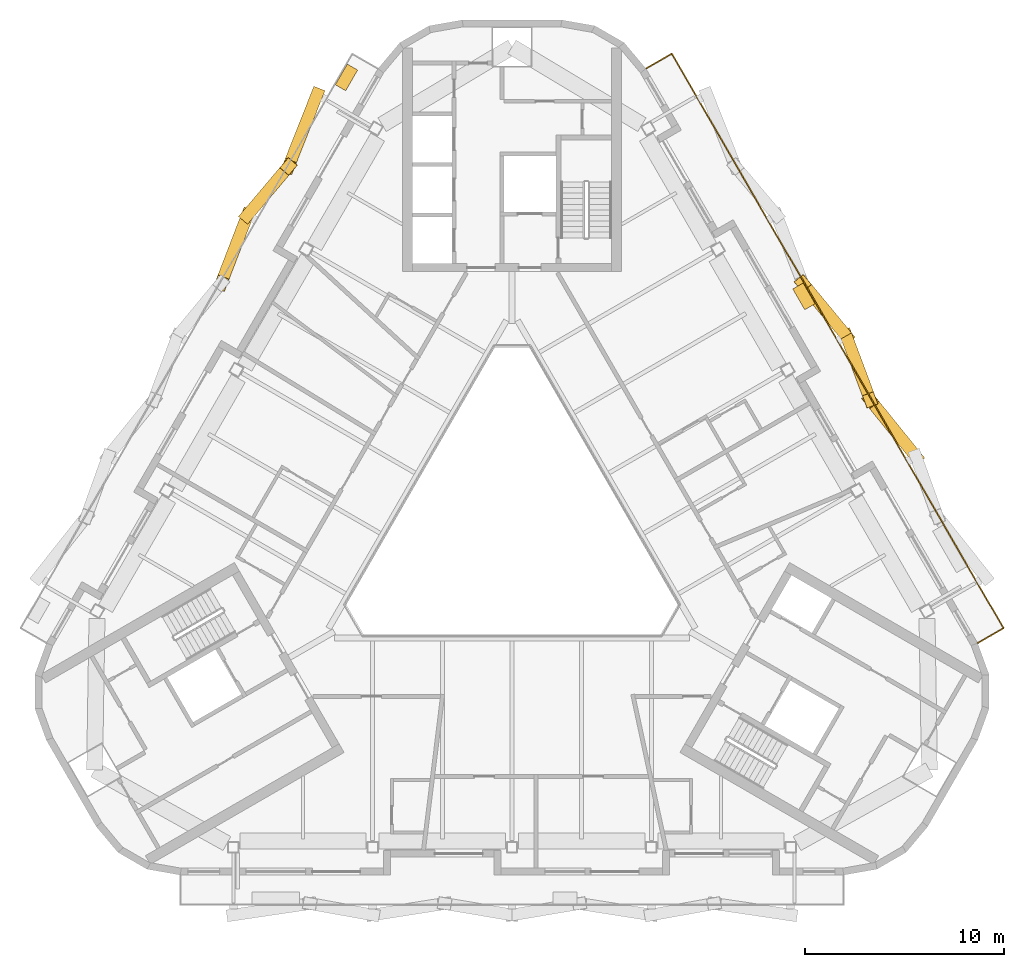
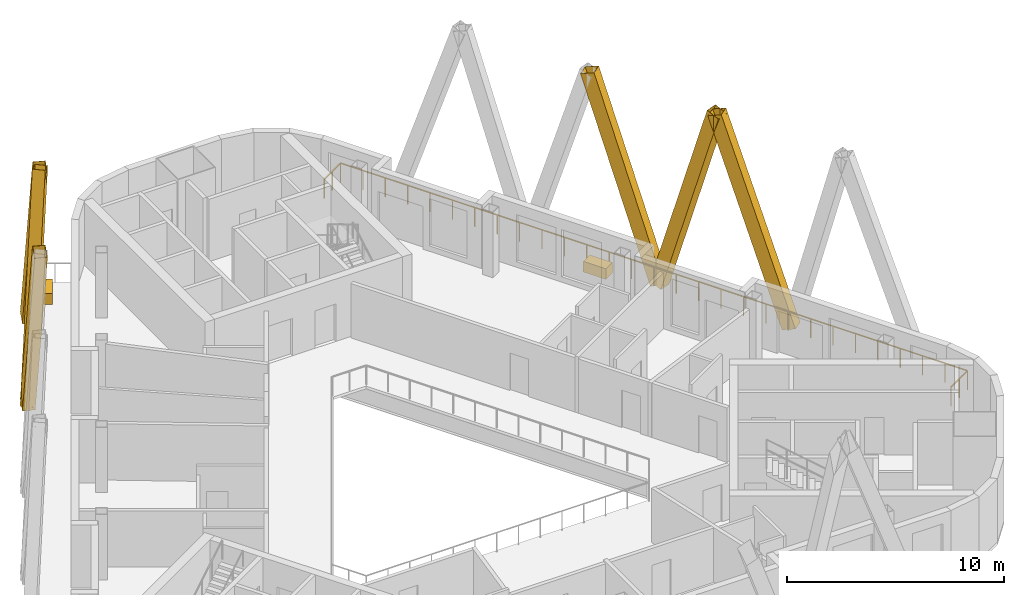
# One storey, part 11 of 12: 6 shading devices, 2 coverings, 1 railing.
"""IFC4 building model written with IfcOpenShell, lengths in metres."""

from ifc_helpers import new_model, si_unit, direction, frame, origin, origin_2d, place, context, subcontext, project, spatial, rectangle, hollow_rectangle, extrude, material, material_profile, profile_set, type_object, element, save


model = new_model("IFC4")

# Units and contexts
model_context = context("Model", 3, precision=1e-05, world=origin(), true_north=direction((0.0, 1.0)))
body_context = subcontext(model_context, "Body", "Model", "MODEL_VIEW")
ifc_project = project(units=[si_unit("LENGTHUNIT", "METRE"), si_unit("AREAUNIT", "SQUARE_METRE"), si_unit("VOLUMEUNIT", "CUBIC_METRE"), si_unit("PLANEANGLEUNIT", "RADIAN"), si_unit("MASSUNIT", "GRAM", prefix="KILO")], contexts=[model_context])

# Site, building, storey
site_placement = place(None, origin())
site = spatial("IfcSite", under=ifc_project, at=site_placement, CompositionType="ELEMENT")
building_placement = place(site_placement, origin())
building = spatial("IfcBuilding", under=site, at=building_placement, Name="Apuvela Tower Hotel", CompositionType="ELEMENT")
storey_placement = place(building_placement, frame((0.0, 0.0, 291.10009765625)))
storey = spatial("IfcBuildingStorey", under=building, at=storey_placement, Name="L72", CompositionType="ELEMENT", Elevation=291.10009765625)

# Shading devices
ifc_material_1 = material(Name="Aluminium 6063-T6, black anodised", Category="aluminium")
ifc_material_profile = material_profile(ifc_material_1, hollow_rectangle(XDim=0.60009765625, YDim=0.699951171875, WallThickness=0.011962890625, at=origin_2d()), Name="AL BOX 700x600x12")
ifc_profile_set = profile_set([ifc_material_profile], Name="Aluminium 6063-T6, black anodised")
shading_device_type = type_object("IfcShadingDeviceType", Name="ENV-FIN-700x600", PredefinedType="USERDEFINED", material=ifc_profile_set)
shading_device_1_placement = place(storey_placement, frame((20.26123046875, 3.6298828125, -0.10009765625), z_axis=(-0.196391864595, 0.243108057067, 0.949909842095), x_axis=(-0.777885876447, -0.628405572242, 0.0)))
element("IfcShadingDevice", 1, at=shading_device_1_placement, inside=storey, type_object=shading_device_type, Name="Lattice fin NE659", ObjectType="FIN", PredefinedType="USERDEFINED", context=body_context, shape_type="SweptSolid", body=[
    extrude(hollow_rectangle(XDim=0.60009765625, YDim=0.699951171875, WallThickness=0.011962890625, at=origin_2d()), origin(), (0.0, 0.0, 1.0), 11.685302734375),
])
for number, where, z_axis, x_axis, name in (
    (2, (16.767578125, 9.680908203125, -0.10009765625), (0.1031876675, -0.27633699388, 0.955505191555), (0.936817233822, 0.34981919675, 0.0), "Lattice fin NE660"),
    (3, (16.767578125, 9.680908203125, -0.10009765625), (-0.187714175558, 0.227518323398, 0.955509707336), (-0.771354041444, -0.63640627177, 0.0), "Lattice fin NE661"),
):
    element("IfcShadingDevice", number, at=place(storey_placement, frame(where, z_axis=z_axis, x_axis=x_axis)), inside=storey, type_object=shading_device_type, Name=name, ObjectType="FIN", PredefinedType="USERDEFINED", context=body_context, shape_type="SweptSolid", body=[
        extrude(hollow_rectangle(XDim=0.60009765625, YDim=0.699951171875, WallThickness=0.011962890625, at=origin_2d()), origin(), (0.0, 0.0, 1.0), 11.616943359375),
    ])
shading_device_2_placement = place(storey_placement, frame((-9.780517578125, 21.782958984375, -0.10009765625), z_axis=(-0.121364736973, -0.30666138586, 0.944049466417), x_axis=(0.929829503012, -0.367990618533, 0.0)))
element("IfcShadingDevice", 4, at=shading_device_2_placement, inside=storey, type_object=shading_device_type, Name="Lattice fin NW685", ObjectType="FIN", PredefinedType="USERDEFINED", context=body_context, shape_type="SweptSolid", body=[
    extrude(hollow_rectangle(XDim=0.60009765625, YDim=0.699951171875, WallThickness=0.011962890625, at=origin_2d()), origin(), (0.0, 0.0, 1.0), 11.758056640625),
])
shading_device_3_placement = place(storey_placement, frame((-13.274169921875, 15.731689453125, -0.10009765625), z_axis=(0.178889566905, 0.211687748575, 0.960826113278), x_axis=(-0.763796829654, 0.645456739844, 0.0)))
element("IfcShadingDevice", 5, at=shading_device_3_placement, inside=storey, type_object=shading_device_type, Name="Lattice fin NW686", ObjectType="FIN", PredefinedType="USERDEFINED", context=body_context, shape_type="SweptSolid", body=[
    extrude(hollow_rectangle(XDim=0.60009765625, YDim=0.699951171875, WallThickness=0.011962890625, at=origin_2d()), origin(), (0.0, 0.0, 1.0), 11.552734375),
])
shading_device_4_placement = place(storey_placement, frame((-13.274169921875, 15.731689453125, -0.10009765625), z_axis=(-0.112340781223, -0.291622210211, 0.949913698915), x_axis=(0.933154214909, -0.359476301301, 0.0)))
element("IfcShadingDevice", 6, at=shading_device_4_placement, inside=storey, type_object=shading_device_type, Name="Lattice fin NW687", ObjectType="FIN", PredefinedType="USERDEFINED", context=body_context, shape_type="SweptSolid", body=[
    extrude(hollow_rectangle(XDim=0.60009765625, YDim=0.699951171875, WallThickness=0.011962890625, at=origin_2d()), origin(), (0.0, 0.0, 1.0), 11.685302734375),
])

# Railing
ifc_material_2 = material(Name="Stainless steel 316 rail with laminated glass infill", Category="steel")
railing_type = type_object("IfcRailingType", Name="ENV-GUARD-1100", PredefinedType="GUARDRAIL", material=ifc_material_2)
railing_placement = place(storey_placement, frame((23.3564453125, -5.731201171875, 0.0)))
element("IfcRailing", 7, at=railing_placement, inside=storey, type_object=railing_type, Name="Balcony guard NE L72", PredefinedType="GUARDRAIL", context=body_context, shape_type="SweptSolid", body=[
    extrude(rectangle(XDim=0.050048828125, YDim=0.050048828125, at=origin_2d()), frame((0.0, 0.0, 1.0751953125), z_axis=(0.866031096941, 0.499990139034, 0.0), x_axis=(-0.499990139034, 0.866031096941, 0.0)), (0.0, 0.0, 1.0), 1.5),
    extrude(rectangle(XDim=0.050048828125, YDim=0.050048828125, at=origin_2d()), frame((1.299072265625, 0.75, 1.0751953125), z_axis=(-0.500001623856, 0.866024466248, 0.0), x_axis=(-0.866024466248, -0.500001623856, 0.0)), (0.0, 0.0, 1.0), 33.283203125),
    extrude(rectangle(XDim=0.050048828125, YDim=0.050048828125, at=origin_2d()), frame((-15.342529296875, 29.573974609375, 1.0751953125), z_axis=(-0.866031096941, -0.499990139034, 0.0), x_axis=(0.499990139034, -0.866031096941, 0.0)), (0.0, 0.0, 1.0), 1.5),
    extrude(rectangle(XDim=0.0400390625, YDim=0.0400390625, at=origin_2d()), origin(), (0.0, 0.0, 1.0), 1.050048828125),
    extrude(rectangle(XDim=0.0400390625, YDim=0.0400390625, at=origin_2d()), frame((0.6494140625, 0.375, 0.0)), (0.0, 0.0, 1.0), 1.050048828125),
    extrude(rectangle(XDim=0.0400390625, YDim=0.0400390625, at=origin_2d()), frame((1.299072265625, 0.75, 0.0)), (0.0, 0.0, 1.0), 1.050048828125),
    extrude(rectangle(XDim=0.0400390625, YDim=0.0400390625, at=origin_2d()), frame((0.704833984375, 1.779541015625, 0.0)), (0.0, 0.0, 1.0), 1.050048828125),
    extrude(rectangle(XDim=0.0400390625, YDim=0.0400390625, at=origin_2d()), frame((0.1103515625, 2.808837890625, 0.0)), (0.0, 0.0, 1.0), 1.050048828125),
    extrude(rectangle(XDim=0.0400390625, YDim=0.0400390625, at=origin_2d()), frame((-0.48388671875, 3.83837890625, 0.0)), (0.0, 0.0, 1.0), 1.050048828125),
    extrude(rectangle(XDim=0.0400390625, YDim=0.0400390625, at=origin_2d()), frame((-1.078369140625, 4.86767578125, 0.0)), (0.0, 0.0, 1.0), 1.050048828125),
    extrude(rectangle(XDim=0.0400390625, YDim=0.0400390625, at=origin_2d()), frame((-1.672607421875, 5.897216796875, 0.0)), (0.0, 0.0, 1.0), 1.050048828125),
    extrude(rectangle(XDim=0.0400390625, YDim=0.0400390625, at=origin_2d()), frame((-2.26708984375, 6.926513671875, 0.0)), (0.0, 0.0, 1.0), 1.050048828125),
    extrude(rectangle(XDim=0.0400390625, YDim=0.0400390625, at=origin_2d()), frame((-2.861328125, 7.9560546875, 0.0)), (0.0, 0.0, 1.0), 1.050048828125),
    extrude(rectangle(XDim=0.0400390625, YDim=0.0400390625, at=origin_2d()), frame((-3.45556640625, 8.9853515625, 0.0)), (0.0, 0.0, 1.0), 1.050048828125),
    extrude(rectangle(XDim=0.0400390625, YDim=0.0400390625, at=origin_2d()), frame((-4.050048828125, 10.014892578125, 0.0)), (0.0, 0.0, 1.0), 1.050048828125),
    extrude(rectangle(XDim=0.0400390625, YDim=0.0400390625, at=origin_2d()), frame((-4.644287109375, 11.044189453125, 0.0)), (0.0, 0.0, 1.0), 1.050048828125),
    extrude(rectangle(XDim=0.0400390625, YDim=0.0400390625, at=origin_2d()), frame((-5.23876953125, 12.07373046875, 0.0)), (0.0, 0.0, 1.0), 1.050048828125),
    extrude(rectangle(XDim=0.0400390625, YDim=0.0400390625, at=origin_2d()), frame((-5.8330078125, 13.10302734375, 0.0)), (0.0, 0.0, 1.0), 1.050048828125),
    extrude(rectangle(XDim=0.0400390625, YDim=0.0400390625, at=origin_2d()), frame((-6.427490234375, 14.132568359375, 0.0)), (0.0, 0.0, 1.0), 1.050048828125),
    extrude(rectangle(XDim=0.0400390625, YDim=0.0400390625, at=origin_2d()), frame((-7.021728515625, 15.162109375, 0.0)), (0.0, 0.0, 1.0), 1.050048828125),
    extrude(rectangle(XDim=0.0400390625, YDim=0.0400390625, at=origin_2d()), frame((-7.615966796875, 16.19140625, 0.0)), (0.0, 0.0, 1.0), 1.050048828125),
    extrude(rectangle(XDim=0.0400390625, YDim=0.0400390625, at=origin_2d()), frame((-8.21044921875, 17.220947265625, 0.0)), (0.0, 0.0, 1.0), 1.050048828125),
    extrude(rectangle(XDim=0.0400390625, YDim=0.0400390625, at=origin_2d()), frame((-8.8046875, 18.250244140625, 0.0)), (0.0, 0.0, 1.0), 1.050048828125),
    extrude(rectangle(XDim=0.0400390625, YDim=0.0400390625, at=origin_2d()), frame((-9.399169921875, 19.27978515625, 0.0)), (0.0, 0.0, 1.0), 1.050048828125),
    extrude(rectangle(XDim=0.0400390625, YDim=0.0400390625, at=origin_2d()), frame((-9.993408203125, 20.30908203125, 0.0)), (0.0, 0.0, 1.0), 1.050048828125),
    extrude(rectangle(XDim=0.0400390625, YDim=0.0400390625, at=origin_2d()), frame((-10.587890625, 21.338623046875, 0.0)), (0.0, 0.0, 1.0), 1.050048828125),
    extrude(rectangle(XDim=0.0400390625, YDim=0.0400390625, at=origin_2d()), frame((-11.18212890625, 22.367919921875, 0.0)), (0.0, 0.0, 1.0), 1.050048828125),
    extrude(rectangle(XDim=0.0400390625, YDim=0.0400390625, at=origin_2d()), frame((-11.7763671875, 23.3974609375, 0.0)), (0.0, 0.0, 1.0), 1.050048828125),
    extrude(rectangle(XDim=0.0400390625, YDim=0.0400390625, at=origin_2d()), frame((-12.370849609375, 24.4267578125, 0.0)), (0.0, 0.0, 1.0), 1.050048828125),
    extrude(rectangle(XDim=0.0400390625, YDim=0.0400390625, at=origin_2d()), frame((-12.965087890625, 25.456298828125, 0.0)), (0.0, 0.0, 1.0), 1.050048828125),
    extrude(rectangle(XDim=0.0400390625, YDim=0.0400390625, at=origin_2d()), frame((-13.5595703125, 26.485595703125, 0.0)), (0.0, 0.0, 1.0), 1.050048828125),
    extrude(rectangle(XDim=0.0400390625, YDim=0.0400390625, at=origin_2d()), frame((-14.15380859375, 27.51513671875, 0.0)), (0.0, 0.0, 1.0), 1.050048828125),
    extrude(rectangle(XDim=0.0400390625, YDim=0.0400390625, at=origin_2d()), frame((-14.748291015625, 28.54443359375, 0.0)), (0.0, 0.0, 1.0), 1.050048828125),
    extrude(rectangle(XDim=0.0400390625, YDim=0.0400390625, at=origin_2d()), frame((-15.342529296875, 29.573974609375, 0.0)), (0.0, 0.0, 1.0), 1.050048828125),
    extrude(rectangle(XDim=0.0400390625, YDim=0.0400390625, at=origin_2d()), frame((-15.9921875, 29.198974609375, 0.0)), (0.0, 0.0, 1.0), 1.050048828125),
    extrude(rectangle(XDim=0.0400390625, YDim=0.0400390625, at=origin_2d()), frame((-16.6416015625, 28.823974609375, 0.0)), (0.0, 0.0, 1.0), 1.050048828125),
])

# Coverings
ifc_material_3 = material(Name="Planting substrate and soil, planted")
covering_type = type_object("IfcCoveringType", Name="ENV-PLANTER-1200x600", PredefinedType="USERDEFINED", material=ifc_material_3)
for number, where, z_axis, x_axis, name in (
    (8, (14.64208984375, 11.66259765625, -0.000244140625), (0.0, 0.0, 1.0), (-0.5, 0.866025403784, 0.0), "Planter NE4"),
    (9, (-8.30078125, 22.645751953125, -0.000244140625), (0.0, 0.0, 1.0), (-0.5, -0.866025403784, 0.0), "Planter NW5"),
):
    element("IfcCovering", number, at=place(storey_placement, frame(where, z_axis=z_axis, x_axis=x_axis)), inside=storey, type_object=covering_type, Name=name, ObjectType="PLANTER", PredefinedType="USERDEFINED", context=body_context, shape_type="SweptSolid", body=[
        extrude(rectangle(XDim=1.199951171875, YDim=0.60009765625, at=origin_2d()), origin(), (0.0, 0.0, 1.0), 0.60009765625),
    ])

save(model, "model.ifc")
